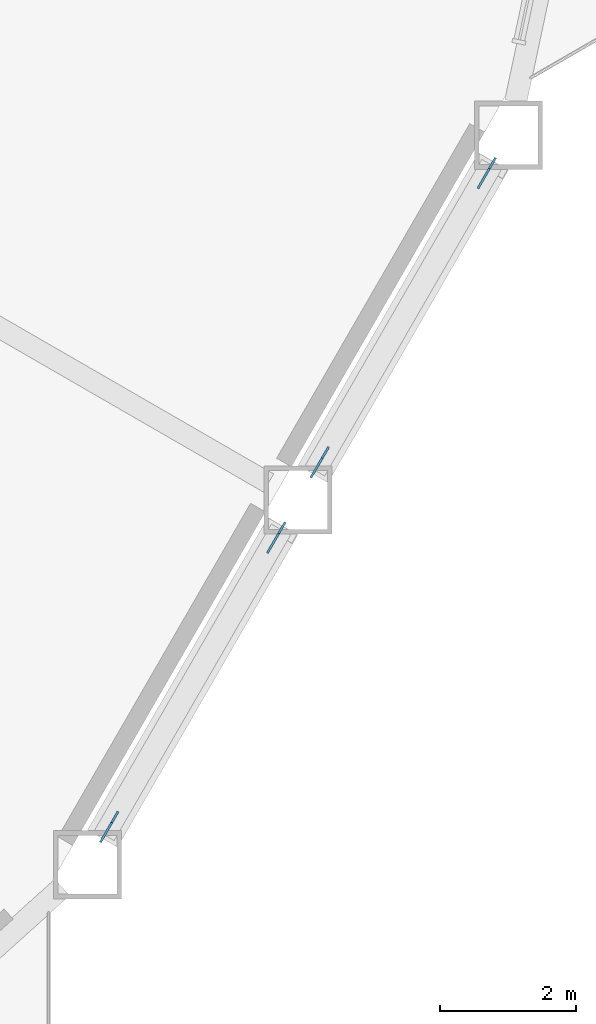
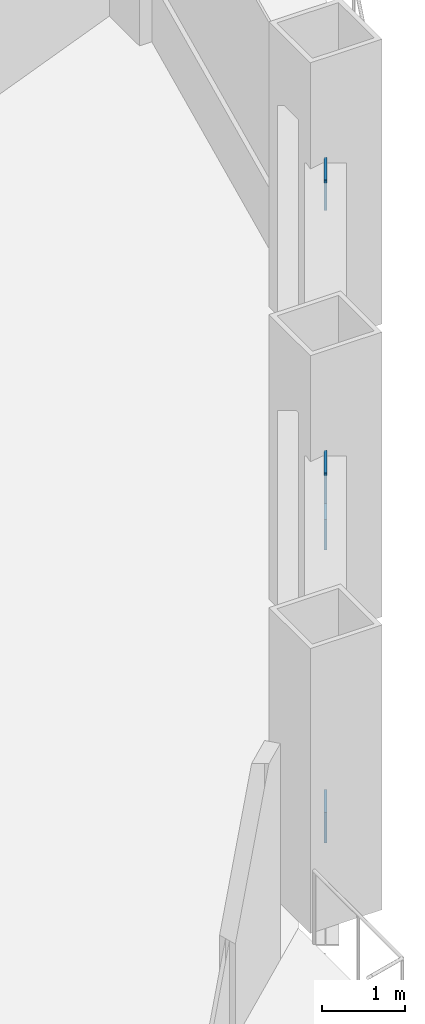
# One storey, part 15 of 21: 4 discrete accessories.
"""IFC4 building model written with IfcOpenShell, lengths in metres."""

from ifc_helpers import new_model, si_unit, direction, frame, origin, origin_2d, place, context, subcontext, project, spatial, rectangle, extrude, material, material_profile, profile_set, type_object, element, save


model = new_model("IFC4")

# Units and contexts
model_context = context("Model", 3, precision=1e-05, world=origin(), true_north=direction((0.0, 1.0)))
body_context = subcontext(model_context, "Body", "Model", "MODEL_VIEW")
ifc_project = project(units=[si_unit("LENGTHUNIT", "METRE"), si_unit("AREAUNIT", "SQUARE_METRE"), si_unit("VOLUMEUNIT", "CUBIC_METRE"), si_unit("PLANEANGLEUNIT", "RADIAN"), si_unit("MASSUNIT", "GRAM", prefix="KILO")], contexts=[model_context])

# Site, building, storey
site_placement = place(None, origin())
site = spatial("IfcSite", under=ifc_project, at=site_placement, CompositionType="ELEMENT")
building_placement = place(site_placement, origin())
building = spatial("IfcBuilding", under=site, at=building_placement, Name="Cormorant Prow Tower", CompositionType="ELEMENT")
storey_placement = place(building_placement, frame((0.0, 0.0, 46.800048828125)))
storey = spatial("IfcBuildingStorey", under=building, at=storey_placement, Name="L09", CompositionType="ELEMENT", Elevation=46.800048828125)

# Discrete accessories
ifc_material = material(Name="Structural steel ASTM A500 Gr C", Category="steel")
ifc_material_profile = material_profile(ifc_material, rectangle(XDim=0.031982421875, YDim=0.60791015625, at=origin_2d()), Name="Gusset plate 32x608")
ifc_profile_set = profile_set([ifc_material_profile], Name="Structural steel ASTM A500 Gr C")
discrete_accessory_type = type_object("IfcDiscreteAccessoryType", Name="Gusset plate 32x608", PredefinedType="BRACKET", material=ifc_profile_set)
discrete_accessory_1_placement = place(storey_placement, frame((25.232421875, -20.763427734375, 0.859130859375), z_axis=(-0.475651503409, -0.824369614413, -0.306871937683), x_axis=(0.866161185697, -0.499764745047, 0.0)))
element("IfcDiscreteAccessory", 1, at=discrete_accessory_1_placement, inside=storey, type_object=discrete_accessory_type, Name="Gusset plate GP1 L09.ESE00.g0", PredefinedType="BRACKET", context=body_context, shape_type="SweptSolid", body=[
    extrude(rectangle(XDim=0.031982421875, YDim=0.60791015625, at=origin_2d()), origin(), (0.0, 0.0, 1.0), 0.35009765625),
])
for number, where, z_axis, x_axis, name in (
    (2, (27.512939453125, -16.813232421875, 2.32958984375), (0.476464602218, 0.823872174553, 0.306946449452), (-0.865660382551, 0.500631703033, 0.0), "Gusset plate GP1 L09.ESE00.g1"),
    (3, (28.3173828125, -15.42041015625, 0.859130859375), (-0.476464602218, -0.823872174553, -0.306946449452), (0.865660382551, -0.500631703033, 0.0), "Gusset plate GP1 L09.ESE01.g0"),
):
    element("IfcDiscreteAccessory", number, at=place(storey_placement, frame(where, z_axis=z_axis, x_axis=x_axis)), inside=storey, type_object=discrete_accessory_type, Name=name, PredefinedType="BRACKET", context=body_context, shape_type="SweptSolid", body=[
        extrude(rectangle(XDim=0.031982421875, YDim=0.60791015625, at=origin_2d()), origin(), (0.0, 0.0, 1.0), 0.349853515625),
    ])
discrete_accessory_2_placement = place(storey_placement, frame((30.597900390625, -11.47021484375, 2.32958984375), z_axis=(0.475651503409, 0.824369614413, 0.306871937683), x_axis=(-0.866161185697, 0.499764745047, 0.0)))
element("IfcDiscreteAccessory", 4, at=discrete_accessory_2_placement, inside=storey, type_object=discrete_accessory_type, Name="Gusset plate GP1 L09.ESE01.g1", PredefinedType="BRACKET", context=body_context, shape_type="SweptSolid", body=[
    extrude(rectangle(XDim=0.031982421875, YDim=0.60791015625, at=origin_2d()), origin(), (0.0, 0.0, 1.0), 0.35009765625),
])

save(model, "model.ifc")
